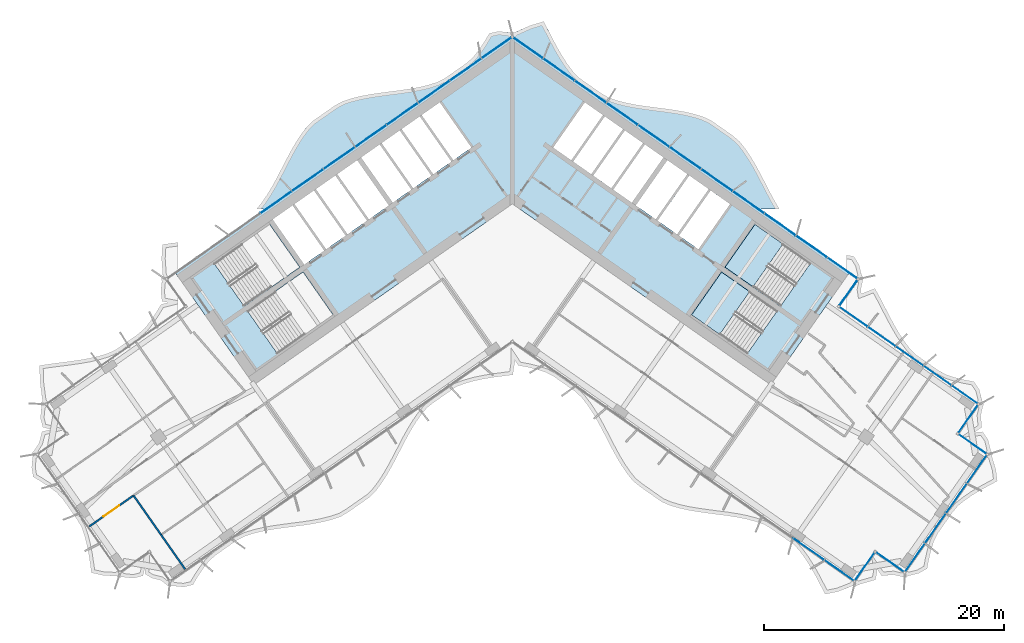
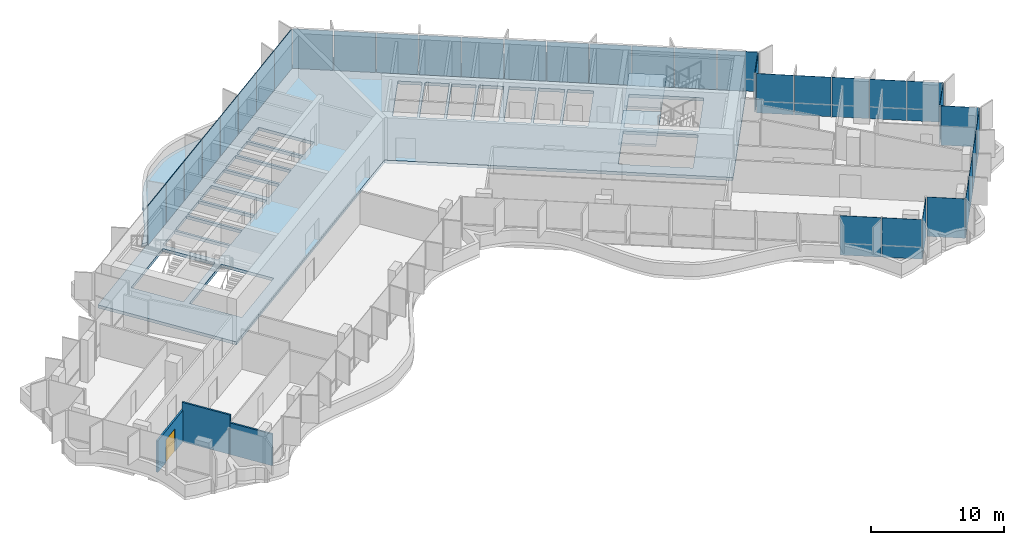
# One storey, part 11 of 22: 35 plates, 4 slabs, 3 walls, 1 door, 1 opening, 4 elements without a shape of their own.
"""IFC4 building model written with IfcOpenShell, lengths in metres."""

from ifc_helpers import new_model, si_unit, direction, frame, frame_2d, origin, origin_2d, place, context, subcontext, project, spatial, polyline, rectangle, outline, extrude, material, layer, layer_set, type_object, element, fill, aggregate, save


model = new_model("IFC4")

# Units and contexts
model_context = context("Model", 3, precision=1e-05, world=origin(), true_north=direction((0.0, 1.0)))
body_context = subcontext(model_context, "Body", "Model", "MODEL_VIEW")
ifc_project = project(units=[si_unit("LENGTHUNIT", "METRE"), si_unit("AREAUNIT", "SQUARE_METRE"), si_unit("VOLUMEUNIT", "CUBIC_METRE"), si_unit("PLANEANGLEUNIT", "RADIAN"), si_unit("MASSUNIT", "GRAM", prefix="KILO")], contexts=[model_context])

# Site, building, storey
site_placement = place(None, origin())
site = spatial("IfcSite", under=ifc_project, at=site_placement, CompositionType="ELEMENT")
building_placement = place(site_placement, origin())
building = spatial("IfcBuilding", under=site, at=building_placement, Name="Tel Ilan Convention Tower", CompositionType="ELEMENT")
storey_placement = place(building_placement, frame((0.0, 0.0, 135.89990234375)))
storey = spatial("IfcBuildingStorey", under=building, at=storey_placement, Name="L30", CompositionType="ELEMENT", Elevation=135.89990234375)

# Curtain wall, plates
ifc_material_1 = material(Name="Aluminium, bronze anodised", Category="aluminium")
curtain_wall_type_1 = type_object("IfcCurtainWallType", Name="CW4 STICK CURTAIN WALL, OFFICE TINTED GLASS", PredefinedType="NOTDEFINED", material=ifc_material_1)
curtain_wall_1_placement = place(storey_placement, origin())
curtain_wall_1 = element("IfcCurtainWall", 1, at=curtain_wall_1_placement, inside=storey, type_object=curtain_wall_type_1, Name="Curtain wall CW4-24.02", PredefinedType="NOTDEFINED")
ifc_material_2 = material(Name="Glass, bronze tinted, two-ply", Category="glass")
ifc_layer_1 = layer(ifc_material_2, 0.028076171875)
ifc_layer_set_1 = layer_set([ifc_layer_1], Name="CW GLASS PANEL 28")
plate_type_1 = type_object("IfcPlateType", Name="CW GLASS PANEL 28", PredefinedType="CURTAIN_PANEL", material=ifc_layer_set_1)
plate_1_placement = place(storey_placement, frame((24.71044921875, -29.99853515625, 0.0), z_axis=(0.0, 0.0, 1.0), x_axis=(0.819152044289, -0.573576436351, 0.0)))
plate_1 = element("IfcPlate", 2, at=plate_1_placement, type_object=plate_type_1, Name="Glass panel", PredefinedType="CURTAIN_PANEL", context=body_context, shape_type="SweptSolid", body=[
    extrude(rectangle(XDim=3.10791015625, YDim=0.028076171875, at=origin_2d()), origin(), (0.0, 0.0, 1.0), 3.6201171875),
])
plate_2_placement = place(storey_placement, frame((27.26708984375, -31.78857421875, 0.0), z_axis=(0.0, 0.0, 1.0), x_axis=(0.819152044289, -0.573576436351, 0.0)))
plate_2 = element("IfcPlate", 3, at=plate_2_placement, type_object=plate_type_1, Name="Glass panel", PredefinedType="CURTAIN_PANEL", context=body_context, shape_type="SweptSolid", body=[
    extrude(rectangle(XDim=3.013916015625, YDim=0.028076171875, at=origin_2d()), origin(), (0.0, 0.0, 1.0), 3.6201171875),
])
plate_3_placement = place(storey_placement, frame((29.359375, -31.469482421875, 0.0), z_axis=(0.0, 0.0, 1.0), x_axis=(0.573576436351, 0.819152044289, 0.0)))
plate_3 = element("IfcPlate", 4, at=plate_3_placement, type_object=plate_type_1, Name="Glass panel", PredefinedType="CURTAIN_PANEL", context=body_context, shape_type="SweptSolid", body=[
    extrude(rectangle(XDim=2.875, YDim=0.028076171875, at=origin_2d()), origin(), (0.0, 0.0, 1.0), 3.6201171875),
])
plate_4_placement = place(storey_placement, frame((31.502197265625, -31.091796875, 0.0), z_axis=(0.0, 0.0, 1.0), x_axis=(0.819152044289, -0.573576436351, 0.0)))
plate_4 = element("IfcPlate", 5, at=plate_4_placement, type_object=plate_type_1, Name="Glass panel", PredefinedType="CURTAIN_PANEL", context=body_context, shape_type="SweptSolid", body=[
    extrude(rectangle(XDim=2.875, YDim=0.028076171875, at=origin_2d()), origin(), (0.0, 0.0, 1.0), 3.6201171875),
])
plate_5_placement = place(storey_placement, frame((33.543701171875, -30.72412109375, 0.0), z_axis=(0.0, 0.0, 1.0), x_axis=(0.573576436351, 0.819152044289, 0.0)))
plate_5 = element("IfcPlate", 6, at=plate_5_placement, type_object=plate_type_1, Name="Glass panel", PredefinedType="CURTAIN_PANEL", context=body_context, shape_type="SweptSolid", body=[
    extrude(rectangle(XDim=2.89599609375, YDim=0.028076171875, at=origin_2d()), origin(), (0.0, 0.0, 1.0), 3.6201171875),
])
plate_6_placement = place(storey_placement, frame((35.26611328125, -28.264404296875, 0.0), z_axis=(0.0, 0.0, 1.0), x_axis=(0.573576436351, 0.819152044289, 0.0)))
plate_6 = element("IfcPlate", 7, at=plate_6_placement, type_object=plate_type_1, Name="Glass panel", PredefinedType="CURTAIN_PANEL", context=body_context, shape_type="SweptSolid", body=[
    extrude(rectangle(XDim=2.989990234375, YDim=0.028076171875, at=origin_2d()), origin(), (0.0, 0.0, 1.0), 3.6201171875),
])
plate_7_placement = place(storey_placement, frame((37.015380859375, -25.765869140625, 0.0), z_axis=(0.0, 0.0, 1.0), x_axis=(0.573576436351, 0.819152044289, 0.0)))
plate_7 = element("IfcPlate", 8, at=plate_7_placement, type_object=plate_type_1, Name="Glass panel", PredefinedType="CURTAIN_PANEL", context=body_context, shape_type="SweptSolid", body=[
    extrude(rectangle(XDim=2.989990234375, YDim=0.028076171875, at=origin_2d()), origin(), (0.0, 0.0, 1.0), 3.6201171875),
])
plate_8_placement = place(storey_placement, frame((38.73779296875, -23.305908203125, 0.0), z_axis=(0.0, 0.0, 1.0), x_axis=(0.573576436351, 0.819152044289, 0.0)))
plate_8 = element("IfcPlate", 9, at=plate_8_placement, type_object=plate_type_1, Name="Glass panel", PredefinedType="CURTAIN_PANEL", context=body_context, shape_type="SweptSolid", body=[
    extrude(rectangle(XDim=2.89599609375, YDim=0.028076171875, at=origin_2d()), origin(), (0.0, 0.0, 1.0), 3.6201171875),
])
plate_9_placement = place(storey_placement, frame((38.385009765625, -21.261962890625, 0.0), z_axis=(0.0, 0.0, 1.0), x_axis=(-0.819152044289, 0.573576436351, 0.0)))
plate_9 = element("IfcPlate", 10, at=plate_9_placement, type_object=plate_type_1, Name="Glass panel", PredefinedType="CURTAIN_PANEL", context=body_context, shape_type="SweptSolid", body=[
    extrude(rectangle(XDim=2.875, YDim=0.028076171875, at=origin_2d()), origin(), (0.0, 0.0, 1.0), 3.6201171875),
])
plate_10_placement = place(storey_placement, frame((38.007080078125, -19.119140625, 0.0), z_axis=(0.0, 0.0, 1.0), x_axis=(0.573576436351, 0.819152044289, 0.0)))
plate_10 = element("IfcPlate", 11, at=plate_10_placement, type_object=plate_type_1, Name="Glass panel", PredefinedType="CURTAIN_PANEL", context=body_context, shape_type="SweptSolid", body=[
    extrude(rectangle(XDim=2.875, YDim=0.028076171875, at=origin_2d()), origin(), (0.0, 0.0, 1.0), 3.6201171875),
])
plate_11_placement = place(storey_placement, frame((37.7255859375, -17.137939453125, 0.0), z_axis=(0.0, 0.0, 1.0), x_axis=(-0.819152044289, 0.573576436351, 0.0)))
plate_11 = element("IfcPlate", 12, at=plate_11_placement, type_object=plate_type_1, Name="Glass panel", PredefinedType="CURTAIN_PANEL", context=body_context, shape_type="SweptSolid", body=[
    extrude(rectangle(XDim=2.68603515625, YDim=0.028076171875, at=origin_2d()), origin(), (0.0, 0.0, 1.0), 3.6201171875),
])
plate_12_placement = place(storey_placement, frame((35.437744140625, -15.535888671875, 0.0), z_axis=(0.0, 0.0, 1.0), x_axis=(-0.819152044289, 0.573576436351, 0.0)))
plate_12 = element("IfcPlate", 13, at=plate_12_placement, type_object=plate_type_1, Name="Glass panel", PredefinedType="CURTAIN_PANEL", context=body_context, shape_type="SweptSolid", body=[
    extrude(rectangle(XDim=2.780029296875, YDim=0.028076171875, at=origin_2d()), origin(), (0.0, 0.0, 1.0), 3.6201171875),
])
plate_13_placement = place(storey_placement, frame((33.111328125, -13.906982421875, 0.0), z_axis=(0.0, 0.0, 1.0), x_axis=(-0.819152044289, 0.573576436351, 0.0)))
plate_13 = element("IfcPlate", 14, at=plate_13_placement, type_object=plate_type_1, Name="Glass panel", PredefinedType="CURTAIN_PANEL", context=body_context, shape_type="SweptSolid", body=[
    extrude(rectangle(XDim=2.780029296875, YDim=0.028076171875, at=origin_2d()), origin(), (0.0, 0.0, 1.0), 3.6201171875),
])
plate_14_placement = place(storey_placement, frame((30.784912109375, -12.278076171875, 0.0), z_axis=(0.0, 0.0, 1.0), x_axis=(-0.819152044289, 0.573576436351, 0.0)))
plate_14 = element("IfcPlate", 15, at=plate_14_placement, type_object=plate_type_1, Name="Glass panel", PredefinedType="CURTAIN_PANEL", context=body_context, shape_type="SweptSolid", body=[
    extrude(rectangle(XDim=2.780029296875, YDim=0.028076171875, at=origin_2d()), origin(), (0.0, 0.0, 1.0), 3.6201171875),
])
plate_15_placement = place(storey_placement, frame((28.44677734375, -10.640625, 0.0), z_axis=(0.0, 0.0, 1.0), x_axis=(-0.819152044289, 0.573576436351, 0.0)))
plate_15 = element("IfcPlate", 16, at=plate_15_placement, type_object=plate_type_1, Name="Glass panel", PredefinedType="CURTAIN_PANEL", context=body_context, shape_type="SweptSolid", body=[
    extrude(rectangle(XDim=2.80908203125, YDim=0.028076171875, at=origin_2d()), origin(), (0.0, 0.0, 1.0), 3.6201171875),
])
aggregate(curtain_wall_1, [plate_1, plate_2, plate_3, plate_4, plate_5, plate_6, plate_7, plate_8, plate_9, plate_10, plate_11, plate_12, plate_13, plate_14, plate_15])

ifc_material_3 = material(Name="Aluminium, bronze anodised", Category="aluminium")
curtain_wall_type_2 = type_object("IfcCurtainWallType", Name="CW2 STICK CURTAIN WALL, SPANDREL PANELS", PredefinedType="NOTDEFINED", material=ifc_material_3)
curtain_wall_2_placement = place(storey_placement, origin())
curtain_wall_2 = element("IfcCurtainWall", 17, at=curtain_wall_2_placement, inside=storey, type_object=curtain_wall_type_2, Name="Curtain wall CW2-24.01", PredefinedType="NOTDEFINED")
ifc_material_4 = material(Name="Aluminium composite panel, bronze anodised", Category="aluminium")
ifc_layer_2 = layer(ifc_material_4, 0.06005859375)
ifc_layer_set_2 = layer_set([ifc_layer_2], Name="CW SPANDREL PANEL 60")
plate_type_2 = type_object("IfcPlateType", Name="CW SPANDREL PANEL 60", PredefinedType="CURTAIN_PANEL", material=ifc_layer_set_2)
plate_16_placement = place(storey_placement, frame((28.033935546875, -8.60546875, 0.0), z_axis=(0.0, 0.0, 1.0), x_axis=(0.573576436351, 0.819152044289, 0.0)))
plate_16 = element("IfcPlate", 18, at=plate_16_placement, type_object=plate_type_2, Name="Spandrel panel", PredefinedType="CURTAIN_PANEL", context=body_context, shape_type="SweptSolid", body=[
    extrude(rectangle(XDim=2.658935546875, YDim=0.06005859375, at=origin_2d()), origin(), (0.0, 0.0, 1.0), 3.6201171875),
])
plate_17_placement = place(storey_placement, frame((27.5400390625, -6.587646484375, 0.0), z_axis=(0.0, 0.0, 1.0), x_axis=(-0.819152044289, 0.573576436351, 0.0)))
plate_17 = element("IfcPlate", 19, at=plate_17_placement, type_object=plate_type_2, Name="Spandrel panel", PredefinedType="CURTAIN_PANEL", context=body_context, shape_type="SweptSolid", body=[
    extrude(rectangle(XDim=3.0439453125, YDim=0.06005859375, at=origin_2d()), origin(), (0.0, 0.0, 1.0), 3.6201171875),
])
plate_18_placement = place(storey_placement, frame((24.95263671875, -4.77587890625, 0.0), z_axis=(0.0, 0.0, 1.0), x_axis=(-0.819152044289, 0.573576436351, 0.0)))
plate_18 = element("IfcPlate", 20, at=plate_18_placement, type_object=plate_type_2, Name="Spandrel panel", PredefinedType="CURTAIN_PANEL", context=body_context, shape_type="SweptSolid", body=[
    extrude(rectangle(XDim=3.15380859375, YDim=0.06005859375, at=origin_2d()), origin(), (0.0, 0.0, 1.0), 3.6201171875),
])
plate_19_placement = place(storey_placement, frame((22.31982421875, -2.9326171875, 0.0), z_axis=(0.0, 0.0, 1.0), x_axis=(-0.819152044289, 0.573576436351, 0.0)))
plate_19 = element("IfcPlate", 21, at=plate_19_placement, type_object=plate_type_2, Name="Spandrel panel", PredefinedType="CURTAIN_PANEL", context=body_context, shape_type="SweptSolid", body=[
    extrude(rectangle(XDim=3.15380859375, YDim=0.06005859375, at=origin_2d()), origin(), (0.0, 0.0, 1.0), 3.6201171875),
])
plate_20_placement = place(storey_placement, frame((19.687255859375, -1.089111328125, 0.0), z_axis=(0.0, 0.0, 1.0), x_axis=(-0.819152044289, 0.573576436351, 0.0)))
plate_20 = element("IfcPlate", 22, at=plate_20_placement, type_object=plate_type_2, Name="Spandrel panel", PredefinedType="CURTAIN_PANEL", context=body_context, shape_type="SweptSolid", body=[
    extrude(rectangle(XDim=3.15380859375, YDim=0.06005859375, at=origin_2d()), origin(), (0.0, 0.0, 1.0), 3.6201171875),
])
plate_21_placement = place(storey_placement, frame((17.0546875, 0.754150390625, 0.0), z_axis=(0.0, 0.0, 1.0), x_axis=(-0.819152044289, 0.573576436351, 0.0)))
plate_21 = element("IfcPlate", 23, at=plate_21_placement, type_object=plate_type_2, Name="Spandrel panel", PredefinedType="CURTAIN_PANEL", context=body_context, shape_type="SweptSolid", body=[
    extrude(rectangle(XDim=3.15380859375, YDim=0.06005859375, at=origin_2d()), origin(), (0.0, 0.0, 1.0), 3.6201171875),
])
plate_22_placement = place(storey_placement, frame((14.422119140625, 2.59765625, 0.0), z_axis=(0.0, 0.0, 1.0), x_axis=(-0.819152044289, 0.573576436351, 0.0)))
plate_22 = element("IfcPlate", 24, at=plate_22_placement, type_object=plate_type_2, Name="Spandrel panel", PredefinedType="CURTAIN_PANEL", context=body_context, shape_type="SweptSolid", body=[
    extrude(rectangle(XDim=3.15380859375, YDim=0.06005859375, at=origin_2d()), origin(), (0.0, 0.0, 1.0), 3.6201171875),
])
plate_23_placement = place(storey_placement, frame((11.789306640625, 4.44091796875, 0.0), z_axis=(0.0, 0.0, 1.0), x_axis=(-0.819152044289, 0.573576436351, 0.0)))
plate_23 = element("IfcPlate", 25, at=plate_23_placement, type_object=plate_type_2, Name="Spandrel panel", PredefinedType="CURTAIN_PANEL", context=body_context, shape_type="SweptSolid", body=[
    extrude(rectangle(XDim=3.15380859375, YDim=0.06005859375, at=origin_2d()), origin(), (0.0, 0.0, 1.0), 3.6201171875),
])
plate_24_placement = place(storey_placement, frame((9.15673828125, 6.284423828125, 0.0), z_axis=(0.0, 0.0, 1.0), x_axis=(-0.819152044289, 0.573576436351, 0.0)))
plate_24 = element("IfcPlate", 26, at=plate_24_placement, type_object=plate_type_2, Name="Spandrel panel", PredefinedType="CURTAIN_PANEL", context=body_context, shape_type="SweptSolid", body=[
    extrude(rectangle(XDim=3.15380859375, YDim=0.06005859375, at=origin_2d()), origin(), (0.0, 0.0, 1.0), 3.6201171875),
])
plate_25_placement = place(storey_placement, frame((6.524169921875, 8.127685546875, 0.0), z_axis=(0.0, 0.0, 1.0), x_axis=(-0.819152044289, 0.573576436351, 0.0)))
plate_25 = element("IfcPlate", 27, at=plate_25_placement, type_object=plate_type_2, Name="Spandrel panel", PredefinedType="CURTAIN_PANEL", context=body_context, shape_type="SweptSolid", body=[
    extrude(rectangle(XDim=3.15380859375, YDim=0.06005859375, at=origin_2d()), origin(), (0.0, 0.0, 1.0), 3.6201171875),
])
plate_26_placement = place(storey_placement, frame((3.8916015625, 9.97119140625, 0.0), z_axis=(0.0, 0.0, 1.0), x_axis=(-0.819152044289, 0.573576436351, 0.0)))
plate_26 = element("IfcPlate", 28, at=plate_26_placement, type_object=plate_type_2, Name="Spandrel panel", PredefinedType="CURTAIN_PANEL", context=body_context, shape_type="SweptSolid", body=[
    extrude(rectangle(XDim=3.15380859375, YDim=0.06005859375, at=origin_2d()), origin(), (0.0, 0.0, 1.0), 3.6201171875),
])
plate_27_placement = place(storey_placement, frame((1.303955078125, 11.782958984375, 0.0), z_axis=(0.0, 0.0, 1.0), x_axis=(-0.819152044289, 0.573576436351, 0.0)))
plate_27 = element("IfcPlate", 29, at=plate_27_placement, type_object=plate_type_2, Name="Spandrel panel", PredefinedType="CURTAIN_PANEL", context=body_context, shape_type="SweptSolid", body=[
    extrude(rectangle(XDim=3.0439453125, YDim=0.06005859375, at=origin_2d()), origin(), (0.0, 0.0, 1.0), 3.6201171875),
])
plate_28_placement = place(storey_placement, frame((-1.303955078125, 11.782958984375, 0.0), z_axis=(0.0, 0.0, 1.0), x_axis=(-0.819152044289, -0.573576436351, 0.0)))
plate_28 = element("IfcPlate", 30, at=plate_28_placement, type_object=plate_type_2, Name="Spandrel panel", PredefinedType="CURTAIN_PANEL", context=body_context, shape_type="SweptSolid", body=[
    extrude(rectangle(XDim=3.0439453125, YDim=0.06005859375, at=origin_2d()), origin(), (0.0, 0.0, 1.0), 3.6201171875),
])
plate_29_placement = place(storey_placement, frame((-3.8916015625, 9.97119140625, 0.0), z_axis=(0.0, 0.0, 1.0), x_axis=(-0.819152044289, -0.573576436351, 0.0)))
plate_29 = element("IfcPlate", 31, at=plate_29_placement, type_object=plate_type_2, Name="Spandrel panel", PredefinedType="CURTAIN_PANEL", context=body_context, shape_type="SweptSolid", body=[
    extrude(rectangle(XDim=3.15380859375, YDim=0.06005859375, at=origin_2d()), origin(), (0.0, 0.0, 1.0), 3.6201171875),
])
plate_30_placement = place(storey_placement, frame((-6.524169921875, 8.127685546875, 0.0), z_axis=(0.0, 0.0, 1.0), x_axis=(-0.819152044289, -0.573576436351, 0.0)))
plate_30 = element("IfcPlate", 32, at=plate_30_placement, type_object=plate_type_2, Name="Spandrel panel", PredefinedType="CURTAIN_PANEL", context=body_context, shape_type="SweptSolid", body=[
    extrude(rectangle(XDim=3.15380859375, YDim=0.06005859375, at=origin_2d()), origin(), (0.0, 0.0, 1.0), 3.6201171875),
])
plate_31_placement = place(storey_placement, frame((-9.15673828125, 6.284423828125, 0.0), z_axis=(0.0, 0.0, 1.0), x_axis=(-0.819152044289, -0.573576436351, 0.0)))
plate_31 = element("IfcPlate", 33, at=plate_31_placement, type_object=plate_type_2, Name="Spandrel panel", PredefinedType="CURTAIN_PANEL", context=body_context, shape_type="SweptSolid", body=[
    extrude(rectangle(XDim=3.15380859375, YDim=0.06005859375, at=origin_2d()), origin(), (0.0, 0.0, 1.0), 3.6201171875),
])
plate_32_placement = place(storey_placement, frame((-11.789306640625, 4.44091796875, 0.0), z_axis=(0.0, 0.0, 1.0), x_axis=(-0.819152044289, -0.573576436351, 0.0)))
plate_32 = element("IfcPlate", 34, at=plate_32_placement, type_object=plate_type_2, Name="Spandrel panel", PredefinedType="CURTAIN_PANEL", context=body_context, shape_type="SweptSolid", body=[
    extrude(rectangle(XDim=3.15380859375, YDim=0.06005859375, at=origin_2d()), origin(), (0.0, 0.0, 1.0), 3.6201171875),
])
plate_33_placement = place(storey_placement, frame((-14.422119140625, 2.59765625, 0.0), z_axis=(0.0, 0.0, 1.0), x_axis=(-0.819152044289, -0.573576436351, 0.0)))
plate_33 = element("IfcPlate", 35, at=plate_33_placement, type_object=plate_type_2, Name="Spandrel panel", PredefinedType="CURTAIN_PANEL", context=body_context, shape_type="SweptSolid", body=[
    extrude(rectangle(XDim=3.15380859375, YDim=0.06005859375, at=origin_2d()), origin(), (0.0, 0.0, 1.0), 3.6201171875),
])
plate_34_placement = place(storey_placement, frame((-17.0546875, 0.754150390625, 0.0), z_axis=(0.0, 0.0, 1.0), x_axis=(-0.819152044289, -0.573576436351, 0.0)))
plate_34 = element("IfcPlate", 36, at=plate_34_placement, type_object=plate_type_2, Name="Spandrel panel", PredefinedType="CURTAIN_PANEL", context=body_context, shape_type="SweptSolid", body=[
    extrude(rectangle(XDim=3.15380859375, YDim=0.06005859375, at=origin_2d()), origin(), (0.0, 0.0, 1.0), 3.6201171875),
])
plate_35_placement = place(storey_placement, frame((-19.687255859375, -1.089111328125, 0.0), z_axis=(0.0, 0.0, 1.0), x_axis=(-0.819152044289, -0.573576436351, 0.0)))
plate_35 = element("IfcPlate", 37, at=plate_35_placement, type_object=plate_type_2, Name="Spandrel panel", PredefinedType="CURTAIN_PANEL", context=body_context, shape_type="SweptSolid", body=[
    extrude(rectangle(XDim=3.15380859375, YDim=0.06005859375, at=origin_2d()), origin(), (0.0, 0.0, 1.0), 3.6201171875),
])
aggregate(curtain_wall_2, [plate_16, plate_17, plate_18, plate_19, plate_20, plate_21, plate_22, plate_23, plate_24, plate_25, plate_26, plate_27, plate_28, plate_29, plate_30, plate_31, plate_32, plate_33, plate_34, plate_35])

# Stair, slab
ifc_material_5 = material(Name="Concrete C40/50", Category="concrete")
stair_type = type_object("IfcStairType", Name="Pressurised Exit Stair 22 risers 177 mm", PredefinedType="HALF_TURN_STAIR", material=ifc_material_5)
stair_1_placement = place(storey_placement, origin())
stair_1 = element("IfcStair", 38, at=stair_1_placement, inside=storey, type_object=stair_type, Name="L30 Pressurised Stair S3", PredefinedType="HALF_TURN_STAIR")
ifc_material_6 = material(Name="Concrete C40/50", Category="concrete")
ifc_layer_3 = layer(ifc_material_6, 0.199951171875)
ifc_layer_set_3 = layer_set([ifc_layer_3], Name="Concrete Stair Landing 200 mm C40/50")
slab_type_1 = type_object("IfcSlabType", Name="Concrete Stair Landing 200 mm", PredefinedType="LANDING", material=ifc_layer_set_3)
slab_1_placement = place(storey_placement, frame((0.0, 0.0, 1.75)))
slab_1 = element("IfcSlab", 39, at=slab_1_placement, type_object=slab_type_1, Name="S3 landing 1", PredefinedType="LANDING", context=body_context, shape_type="SweptSolid", body=[
    extrude(outline(polyline([(22.561767578125, -4.566650390625), (20.226318359375, -2.931640625), (17.7314453125, -6.494873046875), (20.066650390625, -8.130126953125), (22.561767578125, -4.566650390625)])), origin(), (0.0, 0.0, 1.0), 0.2001953125),
])
aggregate(stair_1, [slab_1])

stair_2_placement = place(storey_placement, origin())
stair_2 = element("IfcStair", 40, at=stair_2_placement, inside=storey, type_object=stair_type, Name="L30 Pressurised Stair S4", PredefinedType="HALF_TURN_STAIR")
slab_2_placement = place(storey_placement, frame((0.0, 0.0, 1.75)))
slab_2 = element("IfcSlab", 41, at=slab_2_placement, type_object=slab_type_1, Name="S4 landing 1", PredefinedType="LANDING", context=body_context, shape_type="SweptSolid", body=[
    extrude(outline(polyline([(19.77978515625, -8.53955078125), (17.444580078125, -6.904541015625), (14.949462890625, -10.4677734375), (17.28466796875, -12.10302734375), (19.77978515625, -8.53955078125)])), origin(), (0.0, 0.0, 1.0), 0.2001953125),
])
aggregate(stair_2, [slab_2])

# Slabs
ifc_material_7 = material(Name="Concrete C40/50", Category="concrete")
ifc_layer_4 = layer(ifc_material_7, 0.280029296875)
ifc_layer_set_4 = layer_set([ifc_layer_4], Name="Core Floor Slab 280 mm C40/50")
slab_type_2 = type_object("IfcSlabType", Name="Core Floor Slab 280 mm C40/50", PredefinedType="FLOOR", material=ifc_layer_set_4)
slab_3_placement = place(storey_placement, frame((0.0, 0.0, -0.27978515625)))
element("IfcSlab", 42, at=slab_3_placement, inside=storey, type_object=slab_type_2, Name="L30 core floor 1", PredefinedType="FLOOR", context=body_context, shape_type="SweptSolid", body=[
    extrude(outline(polyline([(-28.1396484375, -6.885498046875), (0.0, 12.818115234375), (28.1396484375, -6.885498046875), (21.54345703125, -16.3056640625), (0.0, -1.220703125), (-21.54345703125, -16.3056640625), (-28.1396484375, -6.885498046875)]), holes=[polyline([(-14.949462890625, -10.4677734375), (-17.444580078125, -6.904541015625), (-22.072021484375, -10.144775390625), (-19.5771484375, -13.7080078125), (-14.949462890625, -10.4677734375)]), polyline([(-17.7314453125, -6.494873046875), (-20.226318359375, -2.931640625), (-24.85400390625, -6.171875), (-22.35888671875, -9.735107421875), (-17.7314453125, -6.494873046875)]), polyline([(-18.313720703125, -1.34814453125), (-19.972412109375, -2.509521484375), (-17.333984375, -6.277587890625), (-15.67529296875, -5.1162109375), (-18.313720703125, -1.34814453125)]), polyline([(-16.531982421875, -0.1005859375), (-18.14990234375, -1.2333984375), (-15.511474609375, -5.00146484375), (-13.8935546875, -3.86865234375), (-16.531982421875, -0.1005859375)]), polyline([(-14.75048828125, 1.14697265625), (-16.368408203125, 0.01416015625), (-13.729736328125, -3.75390625), (-12.112060546875, -2.62109375), (-14.75048828125, 1.14697265625)]), polyline([(-12.927734375, 2.423095703125), (-14.586669921875, 1.26171875), (-11.947998046875, -2.506591796875), (-10.289306640625, -1.344970703125), (-12.927734375, 2.423095703125)]), polyline([(-11.053955078125, 3.735107421875), (-12.60009765625, 2.652587890625), (-9.961669921875, -1.115478515625), (-8.41552734375, -0.032958984375), (-11.053955078125, 3.735107421875)]), polyline([(-6.74658203125, 1.1357421875), (-9.385009765625, 4.90380859375), (-10.89013671875, 3.849853515625), (-8.251708984375, 0.081787109375), (-6.74658203125, 1.1357421875)]), polyline([(-5.077392578125, 2.304443359375), (-7.716064453125, 6.072509765625), (-9.22119140625, 5.0185546875), (-6.582763671875, 1.25048828125), (-5.077392578125, 2.304443359375)]), polyline([(-6.046875, 7.2412109375), (-7.552001953125, 6.187255859375), (-4.913818359375, 2.419189453125), (-3.408447265625, 3.47314453125), (-6.046875, 7.2412109375)]), polyline([(17.444580078125, -6.904541015625), (14.949462890625, -10.4677734375), (19.5771484375, -13.7080078125), (22.072021484375, -10.144775390625), (17.444580078125, -6.904541015625)]), polyline([(20.226318359375, -2.931640625), (17.7314453125, -6.494873046875), (22.35888671875, -9.735107421875), (24.85400390625, -6.171875), (20.226318359375, -2.931640625)]), polyline([(13.8935546875, -3.86865234375), (15.511474609375, -5.00146484375), (18.14990234375, -1.2333984375), (16.531982421875, -0.1005859375), (13.8935546875, -3.86865234375)]), polyline([(12.112060546875, -2.62109375), (13.729736328125, -3.75390625), (16.368408203125, 0.01416015625), (14.75048828125, 1.14697265625), (12.112060546875, -2.62109375)]), polyline([(11.947998046875, -2.506591796875), (14.586669921875, 1.26171875), (12.927734375, 2.423095703125), (10.289306640625, -1.344970703125), (11.947998046875, -2.506591796875)]), polyline([(9.961669921875, -1.115478515625), (12.60009765625, 2.652587890625), (11.053955078125, 3.735107421875), (8.41552734375, -0.032958984375), (9.961669921875, -1.115478515625)]), polyline([(8.251708984375, 0.081787109375), (10.89013671875, 3.849853515625), (9.385009765625, 4.90380859375), (6.74658203125, 1.1357421875), (8.251708984375, 0.081787109375)]), polyline([(5.077392578125, 2.304443359375), (6.582763671875, 1.25048828125), (9.22119140625, 5.0185546875), (7.716064453125, 6.072509765625), (5.077392578125, 2.304443359375)]), polyline([(3.408447265625, 3.47314453125), (4.913818359375, 2.419189453125), (7.552001953125, 6.187255859375), (6.046875, 7.2412109375), (3.408447265625, 3.47314453125)])]), origin(), (0.0, 0.0, 1.0), 0.27978515625),
])
ifc_material_8 = material(Name="Concrete C40/50", Category="concrete")
ifc_layer_5 = layer(ifc_material_8, 0.280029296875)
ifc_layer_set_5 = layer_set([ifc_layer_5], Name="Edge Ledge Slab 280 mm C40/50")
slab_type_3 = type_object("IfcSlabType", Name="Edge Ledge Slab 280 mm C40/50", PredefinedType="FLOOR", material=ifc_layer_set_5)
slab_4_placement = place(storey_placement, frame((0.0, 0.0, -0.27978515625)))
element("IfcSlab", 43, at=slab_4_placement, inside=storey, type_object=slab_type_3, Name="L30 edge ledge 2", PredefinedType="FLOOR", context=body_context, shape_type="SweptSolid", body=[
    extrude(outline(polyline([(-19.60009765625, 1.004150390625), (-19.217529296875, 1.741943359375), (-18.83642578125, 2.481689453125), (-18.44677734375, 3.209228515625), (-18.0390625, 3.910888671875), (-17.604736328125, 4.574951171875), (-17.13671875, 5.190185546875), (-16.6015625, 5.71044921875), (-14.791748046875, 6.977783203125), (-14.1416015625, 7.33349609375), (-13.41064453125, 7.573486328125), (-12.644287109375, 7.76318359375), (-11.849853515625, 7.91259765625), (-11.03564453125, 8.033935546875), (-10.211181640625, 8.140380859375), (-9.385986328125, 8.24609375), (-8.570068359375, 8.36474609375), (-7.7724609375, 8.509765625), (-7.002197265625, 8.693603515625), (-6.26611328125, 8.926513671875), (-5.601806640625, 9.261962890625), (-3.7919921875, 10.529296875), (-3.2421875, 11.0283203125), (-2.769287109375, 11.63671875), (-2.3310546875, 12.294921875), (-1.919921875, 12.991943359375), (-1.14208984375, 13.1650390625), (-0.172119140625, 13.06396484375), (-0.168701171875, 13.05908203125), (-0.11474609375, 13.09521484375), (0.0, 13.1181640625), (0.11474609375, 13.09521484375), (0.168701171875, 13.05908203125), (0.172119140625, 13.06396484375), (1.4794921875, 13.647216796875), (2.6162109375, 13.986328125), (3.000244140625, 13.250732421875), (3.38134765625, 12.510986328125), (3.770263671875, 11.7822265625), (4.176513671875, 11.078369140625), (4.608642578125, 10.41162109375), (5.074462890625, 9.792724609375), (5.601806640625, 9.261962890625), (7.411865234375, 7.99462890625), (8.054931640625, 7.62890625), (8.783447265625, 7.385498046875), (9.547607421875, 7.19287109375), (10.340576171875, 7.041015625), (11.15380859375, 6.91845703125), (11.977783203125, 6.811279296875), (12.80322265625, 6.7060546875), (13.6201171875, 6.588623046875), (14.419189453125, 6.44580078125), (15.191650390625, 6.2646484375), (15.929931640625, 6.03515625), (16.6015625, 5.71044921875), (18.41162109375, 4.443115234375), (18.96826171875, 3.9541015625), (19.44384765625, 3.34912109375), (19.884033203125, 2.69384765625), (20.296142578125, 1.998291015625), (20.688720703125, 1.27490234375), (21.07080078125, 0.53662109375), (21.4521484375, -0.202880859375), (21.8427734375, -0.928955078125), (22.25341796875, -1.631591796875), (20.63623046875, -1.631591796875), (0.0, 12.818115234375), (-20.63623046875, -1.631591796875), (-21.30126953125, -1.631591796875), (-20.849609375, -1.0634765625), (-20.4072265625, -0.4111328125), (-19.993408203125, 0.281982421875), (-19.60009765625, 1.004150390625)])), origin(), (0.0, 0.0, 1.0), 0.27978515625),
])

# Wall, opening, door
ifc_material_9 = material(Name="Plasterboard on Steel Studs", Category="steel")
ifc_layer_6 = layer(ifc_material_9, 0.14990234375)
ifc_layer_set_6 = layer_set([ifc_layer_6], Name="Fire-rated Partition 150 EI 60")
wall_type = type_object("IfcWallType", Name="Fire-rated Partition 150 EI 60", PredefinedType="PARTITIONING", material=ifc_layer_set_6)
wall_1_placement = place(storey_placement, frame((-31.568115234375, -25.522216796875, 0.0), z_axis=(0.0, 0.0, 1.0), x_axis=(-0.819142740634, -0.573589723117, 0.0)))
wall_1 = element("IfcWall", 44, at=wall_1_placement, inside=storey, type_object=wall_type, Name="Partition 009", PredefinedType="PARTITIONING", context=body_context, shape_type="SweptSolid", body=[
    extrude(rectangle(XDim=4.501953125, YDim=0.14990234375, at=frame_2d((2.2509765625, 0.0))), origin(), (0.0, 0.0, 1.0), 2.900146484375),
])
opening_placement = place(wall_1_placement, frame((1.450927734375, 0.0, 0.0)))
opening = element("IfcOpeningElement", 45, at=opening_placement, cuts=wall_1, Name="Opening L30-005", PredefinedType="OPENING", context=body_context, shape_type="SweptSolid", body=[
    extrude(rectangle(XDim=1.60009765625, YDim=2.10009765625, at=frame_2d((0.800048828125, 1.050048828125))), frame((0.0, 0.0849609375, 0.0), z_axis=(0.0, -1.0, 0.0), x_axis=(1.0, 0.0, 0.0)), (0.0, 0.0, 1.0), 0.169921875),
])
ifc_material_10 = material(Name="Timber Door Leaf in Steel Frame", Category="steel")
door_type = type_object("IfcDoorType", Name="Tenant Suite Entrance Fire Door 1600x2100", OperationType="NOTDEFINED", PredefinedType="DOOR", material=ifc_material_10)
door_placement = place(opening_placement, origin())
door = element("IfcDoor", 46, at=door_placement, inside=storey, type_object=door_type, Name="Door L30-005", OperationType="DOUBLE_DOOR_SINGLE_SWING", OverallHeight=2.10009765625, OverallWidth=1.60009765625, PredefinedType="DOOR", context=body_context, shape_type="SweptSolid", body=[
    extrude(rectangle(XDim=1.60009765625, YDim=2.10009765625, at=frame_2d((0.800048828125, 1.050048828125))), frame((0.0, 0.02490234375, 0.0), z_axis=(0.0, -1.0, 0.0), x_axis=(1.0, 0.0, 0.0)), (0.0, 0.0, 1.0), 0.050048828125),
])
fill(opening, door)

# Walls
wall_2_placement = place(storey_placement, frame((-27.267822265625, -31.6669921875, 0.0), z_axis=(0.0, 0.0, 1.0), x_axis=(-0.573602818234, 0.819133570863, 0.0)))
element("IfcWall", 47, at=wall_2_placement, inside=storey, type_object=wall_type, Name="Partition 039", PredefinedType="PARTITIONING", context=body_context, shape_type="SweptSolid", body=[
    extrude(rectangle(XDim=3.4990234375, YDim=0.14990234375, at=frame_2d((1.74951171875, 0.0))), origin(), (0.0, 0.0, 1.0), 2.900146484375),
])
wall_3_placement = place(storey_placement, frame((-29.275390625, -28.800048828125, 0.0), z_axis=(0.0, 0.0, 1.0), x_axis=(-0.573556557423, 0.819165963305, 0.0)))
element("IfcWall", 48, at=wall_3_placement, inside=storey, type_object=wall_type, Name="Partition 040", PredefinedType="PARTITIONING", context=body_context, shape_type="SweptSolid", body=[
    extrude(rectangle(XDim=4.0, YDim=0.14990234375, at=frame_2d((2.0, 0.0))), origin(), (0.0, 0.0, 1.0), 3.6201171875),
])

save(model, "model.ifc")
